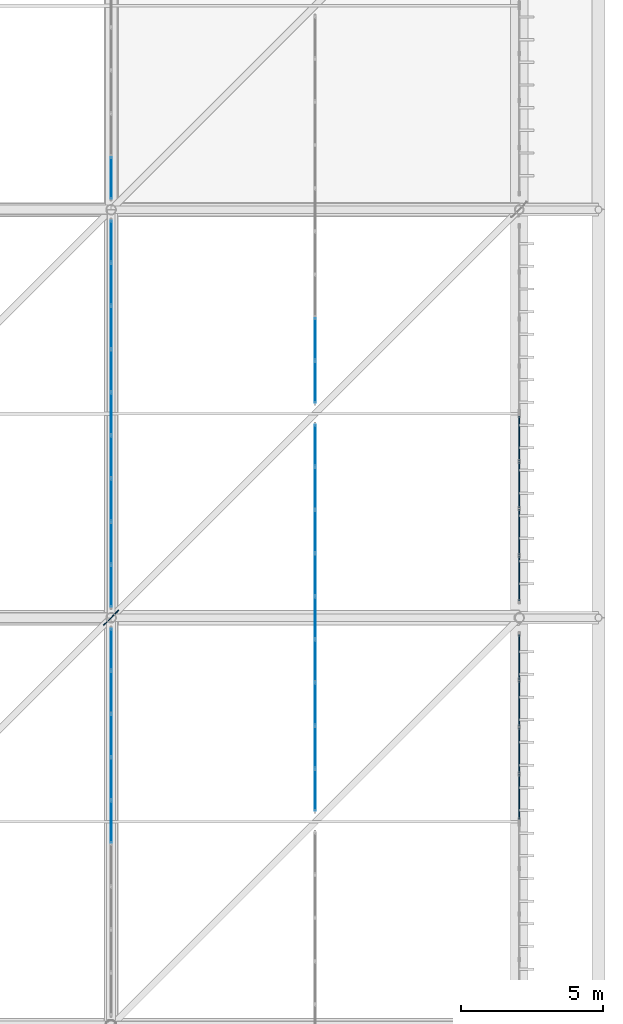
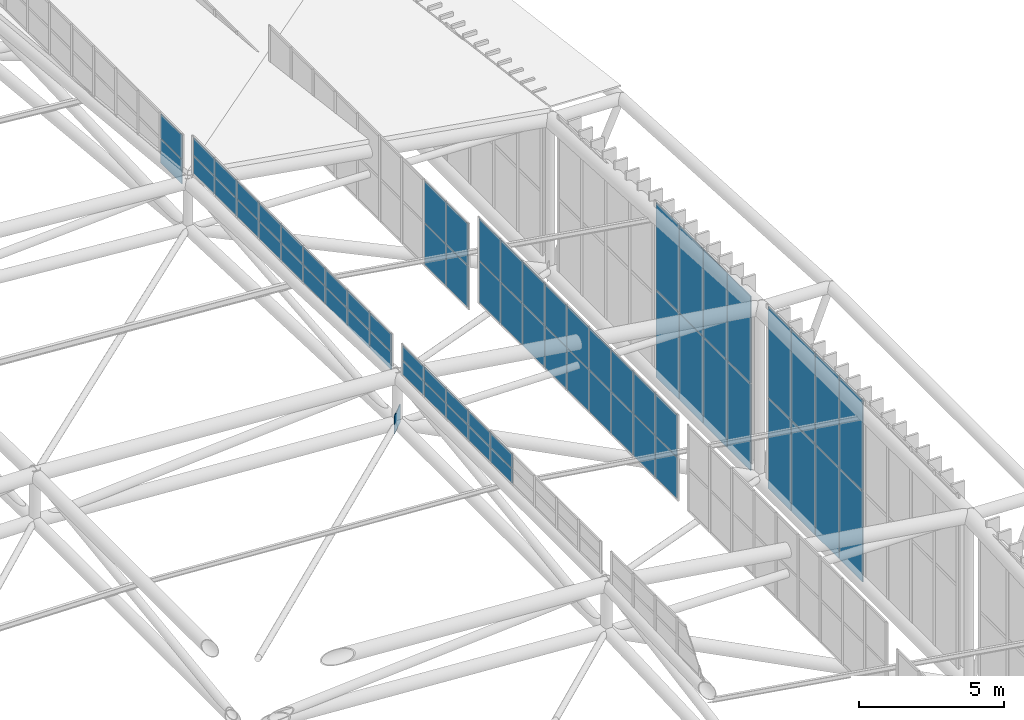
# One storey, part 379 of 397: 69 plates, 7 elements without a shape of their own.
"""IFC4 building model written with IfcOpenShell, lengths in metres."""

from ifc_helpers import new_model, si_unit, direction, frame, origin, origin_2d, place, context, subcontext, project, spatial, rectangle, extrude, material, layer, layer_set, type_object, element, aggregate, save


model = new_model("IFC4")

# Units and contexts
model_context = context("Model", 3, precision=1e-05, world=origin(), true_north=direction((0.0, 1.0)))
body_context = subcontext(model_context, "Body", "Model", "MODEL_VIEW")
ifc_project = project(units=[si_unit("LENGTHUNIT", "METRE"), si_unit("AREAUNIT", "SQUARE_METRE"), si_unit("VOLUMEUNIT", "CUBIC_METRE"), si_unit("PLANEANGLEUNIT", "RADIAN"), si_unit("MASSUNIT", "GRAM", prefix="KILO")], contexts=[model_context])

# Site, building, storey
site_placement = place(None, origin())
site = spatial("IfcSite", under=ifc_project, at=site_placement, CompositionType="ELEMENT")
building_placement = place(site_placement, origin())
building = spatial("IfcBuilding", under=site, at=building_placement, Name="Qandorah Velis Arena", CompositionType="ELEMENT")
storey_placement = place(building_placement, frame((0.0, 0.0, 27.5)))
storey = spatial("IfcBuildingStorey", under=building, at=storey_placement, Name="RF", CompositionType="ELEMENT", Elevation=27.5)

# Curtain wall, plates
ifc_material_1 = material(Name="Solar-control low-E double glazing", Category="glass")
curtain_wall_type_1 = type_object("IfcCurtainWallType", Name="ARC-CW-SYS16", PredefinedType="USERDEFINED", material=ifc_material_1)
curtain_wall_1_placement = place(storey_placement, origin())
curtain_wall_1 = element("IfcCurtainWall", 1, at=curtain_wall_1_placement, inside=storey, type_object=curtain_wall_type_1, Name="Unitised curtain wall MON-2-4", ObjectType="UNITISED CURTAIN WALL", PredefinedType="USERDEFINED")
ifc_layer_1 = layer(ifc_material_1, 0.030029296875)
ifc_layer_set_1 = layer_set([ifc_layer_1], Name="Solar-control low-E double glazing")
plate_type_1 = type_object("IfcPlateType", Name="ARC-CWP-GLZ30", PredefinedType="CURTAIN_PANEL", material=ifc_layer_set_1)
plate_1_placement = place(storey_placement, frame((108.0, 65.9248046875, 5.89013671875), z_axis=(0.0, 0.0, 1.0), x_axis=(0.0, 1.0, 0.0)))
plate_1 = element("IfcPlate", 2, at=plate_1_placement, type_object=plate_type_1, Name="CW16 panel 1.1", PredefinedType="CURTAIN_PANEL", context=body_context, shape_type="SweptSolid", body=[
    extrude(rectangle(XDim=1.459716796875, YDim=0.030029296875, at=origin_2d()), origin(), (0.0, 0.0, 1.0), 1.737548828125),
])
plate_2_placement = place(storey_placement, frame((108.0, 65.9248046875, 7.66259765625), z_axis=(0.0, 0.0, 1.0), x_axis=(0.0, 1.0, 0.0)))
plate_2 = element("IfcPlate", 3, at=plate_2_placement, type_object=plate_type_1, Name="CW16 panel 1.2", PredefinedType="CURTAIN_PANEL", context=body_context, shape_type="SweptSolid", body=[
    extrude(rectangle(XDim=1.459716796875, YDim=0.030029296875, at=origin_2d()), origin(), (0.0, 0.0, 1.0), 1.737548828125),
])
plate_3_placement = place(storey_placement, frame((108.0, 67.433349609375, 5.89013671875), z_axis=(0.0, 0.0, 1.0), x_axis=(0.0, 1.0, 0.0)))
plate_3 = element("IfcPlate", 4, at=plate_3_placement, type_object=plate_type_1, Name="CW16 panel 2.1", PredefinedType="CURTAIN_PANEL", context=body_context, shape_type="SweptSolid", body=[
    extrude(rectangle(XDim=1.4873046875, YDim=0.030029296875, at=origin_2d()), origin(), (0.0, 0.0, 1.0), 1.737548828125),
])
plate_4_placement = place(storey_placement, frame((108.0, 67.433349609375, 7.66259765625), z_axis=(0.0, 0.0, 1.0), x_axis=(0.0, 1.0, 0.0)))
plate_4 = element("IfcPlate", 5, at=plate_4_placement, type_object=plate_type_1, Name="CW16 panel 2.2", PredefinedType="CURTAIN_PANEL", context=body_context, shape_type="SweptSolid", body=[
    extrude(rectangle(XDim=1.4873046875, YDim=0.030029296875, at=origin_2d()), origin(), (0.0, 0.0, 1.0), 1.737548828125),
])
plate_5_placement = place(storey_placement, frame((108.0, 68.95556640625, 5.89013671875), z_axis=(0.0, 0.0, 1.0), x_axis=(0.0, 1.0, 0.0)))
plate_5 = element("IfcPlate", 6, at=plate_5_placement, type_object=plate_type_1, Name="CW16 panel 3.1", PredefinedType="CURTAIN_PANEL", context=body_context, shape_type="SweptSolid", body=[
    extrude(rectangle(XDim=1.4873046875, YDim=0.030029296875, at=origin_2d()), origin(), (0.0, 0.0, 1.0), 1.737548828125),
])
plate_6_placement = place(storey_placement, frame((108.0, 68.95556640625, 7.66259765625), z_axis=(0.0, 0.0, 1.0), x_axis=(0.0, 1.0, 0.0)))
plate_6 = element("IfcPlate", 7, at=plate_6_placement, type_object=plate_type_1, Name="CW16 panel 3.2", PredefinedType="CURTAIN_PANEL", context=body_context, shape_type="SweptSolid", body=[
    extrude(rectangle(XDim=1.4873046875, YDim=0.030029296875, at=origin_2d()), origin(), (0.0, 0.0, 1.0), 1.737548828125),
])
plate_7_placement = place(storey_placement, frame((108.0, 70.477783203125, 5.89013671875), z_axis=(0.0, 0.0, 1.0), x_axis=(0.0, 1.0, 0.0)))
plate_7 = element("IfcPlate", 8, at=plate_7_placement, type_object=plate_type_1, Name="CW16 panel 4.1", PredefinedType="CURTAIN_PANEL", context=body_context, shape_type="SweptSolid", body=[
    extrude(rectangle(XDim=1.4873046875, YDim=0.030029296875, at=origin_2d()), origin(), (0.0, 0.0, 1.0), 1.737548828125),
])
plate_8_placement = place(storey_placement, frame((108.0, 70.477783203125, 7.66259765625), z_axis=(0.0, 0.0, 1.0), x_axis=(0.0, 1.0, 0.0)))
plate_8 = element("IfcPlate", 9, at=plate_8_placement, type_object=plate_type_1, Name="CW16 panel 4.2", PredefinedType="CURTAIN_PANEL", context=body_context, shape_type="SweptSolid", body=[
    extrude(rectangle(XDim=1.4873046875, YDim=0.030029296875, at=origin_2d()), origin(), (0.0, 0.0, 1.0), 1.737548828125),
])
plate_9_placement = place(storey_placement, frame((108.0, 72.0, 5.89013671875), z_axis=(0.0, 0.0, 1.0), x_axis=(0.0, 1.0, 0.0)))
plate_9 = element("IfcPlate", 10, at=plate_9_placement, type_object=plate_type_1, Name="CW16 panel 5.1", PredefinedType="CURTAIN_PANEL", context=body_context, shape_type="SweptSolid", body=[
    extrude(rectangle(XDim=1.4873046875, YDim=0.030029296875, at=origin_2d()), origin(), (0.0, 0.0, 1.0), 1.737548828125),
])
plate_10_placement = place(storey_placement, frame((108.0, 72.0, 7.66259765625), z_axis=(0.0, 0.0, 1.0), x_axis=(0.0, 1.0, 0.0)))
plate_10 = element("IfcPlate", 11, at=plate_10_placement, type_object=plate_type_1, Name="CW16 panel 5.2", PredefinedType="CURTAIN_PANEL", context=body_context, shape_type="SweptSolid", body=[
    extrude(rectangle(XDim=1.4873046875, YDim=0.030029296875, at=origin_2d()), origin(), (0.0, 0.0, 1.0), 1.737548828125),
])
plate_11_placement = place(storey_placement, frame((108.0, 73.522216796875, 5.89013671875), z_axis=(0.0, 0.0, 1.0), x_axis=(0.0, 1.0, 0.0)))
plate_11 = element("IfcPlate", 12, at=plate_11_placement, type_object=plate_type_1, Name="CW16 panel 6.1", PredefinedType="CURTAIN_PANEL", context=body_context, shape_type="SweptSolid", body=[
    extrude(rectangle(XDim=1.4873046875, YDim=0.030029296875, at=origin_2d()), origin(), (0.0, 0.0, 1.0), 1.737548828125),
])
plate_12_placement = place(storey_placement, frame((108.0, 73.522216796875, 7.66259765625), z_axis=(0.0, 0.0, 1.0), x_axis=(0.0, 1.0, 0.0)))
plate_12 = element("IfcPlate", 13, at=plate_12_placement, type_object=plate_type_1, Name="CW16 panel 6.2", PredefinedType="CURTAIN_PANEL", context=body_context, shape_type="SweptSolid", body=[
    extrude(rectangle(XDim=1.4873046875, YDim=0.030029296875, at=origin_2d()), origin(), (0.0, 0.0, 1.0), 1.737548828125),
])
plate_13_placement = place(storey_placement, frame((108.0, 75.04443359375, 5.89013671875), z_axis=(0.0, 0.0, 1.0), x_axis=(0.0, 1.0, 0.0)))
plate_13 = element("IfcPlate", 14, at=plate_13_placement, type_object=plate_type_1, Name="CW16 panel 7.1", PredefinedType="CURTAIN_PANEL", context=body_context, shape_type="SweptSolid", body=[
    extrude(rectangle(XDim=1.4873046875, YDim=0.030029296875, at=origin_2d()), origin(), (0.0, 0.0, 1.0), 1.737548828125),
])
plate_14_placement = place(storey_placement, frame((108.0, 75.04443359375, 7.66259765625), z_axis=(0.0, 0.0, 1.0), x_axis=(0.0, 1.0, 0.0)))
plate_14 = element("IfcPlate", 15, at=plate_14_placement, type_object=plate_type_1, Name="CW16 panel 7.2", PredefinedType="CURTAIN_PANEL", context=body_context, shape_type="SweptSolid", body=[
    extrude(rectangle(XDim=1.4873046875, YDim=0.030029296875, at=origin_2d()), origin(), (0.0, 0.0, 1.0), 1.737548828125),
])
plate_15_placement = place(storey_placement, frame((108.0, 76.566650390625, 5.89013671875), z_axis=(0.0, 0.0, 1.0), x_axis=(0.0, 1.0, 0.0)))
plate_15 = element("IfcPlate", 16, at=plate_15_placement, type_object=plate_type_1, Name="CW16 panel 8.1", PredefinedType="CURTAIN_PANEL", context=body_context, shape_type="SweptSolid", body=[
    extrude(rectangle(XDim=1.4873046875, YDim=0.030029296875, at=origin_2d()), origin(), (0.0, 0.0, 1.0), 1.737548828125),
])
plate_16_placement = place(storey_placement, frame((108.0, 76.566650390625, 7.66259765625), z_axis=(0.0, 0.0, 1.0), x_axis=(0.0, 1.0, 0.0)))
plate_16 = element("IfcPlate", 17, at=plate_16_placement, type_object=plate_type_1, Name="CW16 panel 8.2", PredefinedType="CURTAIN_PANEL", context=body_context, shape_type="SweptSolid", body=[
    extrude(rectangle(XDim=1.4873046875, YDim=0.030029296875, at=origin_2d()), origin(), (0.0, 0.0, 1.0), 1.737548828125),
])
plate_17_placement = place(storey_placement, frame((108.0, 78.0751953125, 5.89013671875), z_axis=(0.0, 0.0, 1.0), x_axis=(0.0, 1.0, 0.0)))
plate_17 = element("IfcPlate", 18, at=plate_17_placement, type_object=plate_type_1, Name="CW16 panel 9.1", PredefinedType="CURTAIN_PANEL", context=body_context, shape_type="SweptSolid", body=[
    extrude(rectangle(XDim=1.459716796875, YDim=0.030029296875, at=origin_2d()), origin(), (0.0, 0.0, 1.0), 1.737548828125),
])
plate_18_placement = place(storey_placement, frame((108.0, 78.0751953125, 7.66259765625), z_axis=(0.0, 0.0, 1.0), x_axis=(0.0, 1.0, 0.0)))
plate_18 = element("IfcPlate", 19, at=plate_18_placement, type_object=plate_type_1, Name="CW16 panel 9.2", PredefinedType="CURTAIN_PANEL", context=body_context, shape_type="SweptSolid", body=[
    extrude(rectangle(XDim=1.459716796875, YDim=0.030029296875, at=origin_2d()), origin(), (0.0, 0.0, 1.0), 1.737548828125),
])
aggregate(curtain_wall_1, [plate_1, plate_2, plate_3, plate_4, plate_5, plate_6, plate_7, plate_8, plate_9, plate_10, plate_11, plate_12, plate_13, plate_14, plate_15, plate_16, plate_17, plate_18])

curtain_wall_type_2 = type_object("IfcCurtainWallType", Name="ARC-CW-SYS17", PredefinedType="USERDEFINED", material=ifc_material_1)
curtain_wall_2_placement = place(storey_placement, origin())
curtain_wall_2 = element("IfcCurtainWall", 20, at=curtain_wall_2_placement, inside=storey, type_object=curtain_wall_type_2, Name="Unitised curtain wall MON-2-5", ObjectType="UNITISED CURTAIN WALL", PredefinedType="USERDEFINED")
plate_19_placement = place(storey_placement, frame((108.0, 80.324951171875, 5.1943359375), z_axis=(0.0, 0.0, 1.0), x_axis=(0.0, 1.0, 0.0)))
plate_19 = element("IfcPlate", 21, at=plate_19_placement, type_object=plate_type_1, Name="CW17 panel 1.1", PredefinedType="CURTAIN_PANEL", context=body_context, shape_type="SweptSolid", body=[
    extrude(rectangle(XDim=1.459716796875, YDim=0.030029296875, at=origin_2d()), origin(), (0.0, 0.0, 1.0), 1.737548828125),
])
plate_20_placement = place(storey_placement, frame((108.0, 80.324951171875, 6.966796875), z_axis=(0.0, 0.0, 1.0), x_axis=(0.0, 1.0, 0.0)))
plate_20 = element("IfcPlate", 22, at=plate_20_placement, type_object=plate_type_1, Name="CW17 panel 1.2", PredefinedType="CURTAIN_PANEL", context=body_context, shape_type="SweptSolid", body=[
    extrude(rectangle(XDim=1.459716796875, YDim=0.030029296875, at=origin_2d()), origin(), (0.0, 0.0, 1.0), 1.737548828125),
])
plate_21_placement = place(storey_placement, frame((108.0, 81.833251953125, 5.1943359375), z_axis=(0.0, 0.0, 1.0), x_axis=(0.0, 1.0, 0.0)))
plate_21 = element("IfcPlate", 23, at=plate_21_placement, type_object=plate_type_1, Name="CW17 panel 2.1", PredefinedType="CURTAIN_PANEL", context=body_context, shape_type="SweptSolid", body=[
    extrude(rectangle(XDim=1.4873046875, YDim=0.030029296875, at=origin_2d()), origin(), (0.0, 0.0, 1.0), 1.737548828125),
])
plate_22_placement = place(storey_placement, frame((108.0, 81.833251953125, 6.966796875), z_axis=(0.0, 0.0, 1.0), x_axis=(0.0, 1.0, 0.0)))
plate_22 = element("IfcPlate", 24, at=plate_22_placement, type_object=plate_type_1, Name="CW17 panel 2.2", PredefinedType="CURTAIN_PANEL", context=body_context, shape_type="SweptSolid", body=[
    extrude(rectangle(XDim=1.4873046875, YDim=0.030029296875, at=origin_2d()), origin(), (0.0, 0.0, 1.0), 1.737548828125),
])
aggregate(curtain_wall_2, [plate_19, plate_20, plate_21, plate_22])

curtain_wall_type_3 = type_object("IfcCurtainWallType", Name="ARC-CW-SYS13", PredefinedType="USERDEFINED", material=ifc_material_1)
curtain_wall_3_placement = place(storey_placement, origin())
curtain_wall_3 = element("IfcCurtainWall", 25, at=curtain_wall_3_placement, inside=storey, type_object=curtain_wall_type_3, Name="Unitised curtain wall OCULUS-2-3", ObjectType="UNITISED CURTAIN WALL", PredefinedType="USERDEFINED")
plate_23_placement = place(storey_placement, frame((100.800048828125, 64.800048828125, 9.744140625), z_axis=(0.0, 0.0, 1.0), x_axis=(0.0, 1.0, 0.0)))
plate_23 = element("IfcPlate", 26, at=plate_23_placement, type_object=plate_type_1, Name="CW13 panel 5.1", PredefinedType="CURTAIN_PANEL", context=body_context, shape_type="SweptSolid", body=[
    extrude(rectangle(XDim=1.4873046875, YDim=0.030029296875, at=origin_2d()), origin(), (0.0, 0.0, 1.0), 0.587890625),
])
plate_24_placement = place(storey_placement, frame((100.800048828125, 64.800048828125, 10.366943359375), z_axis=(0.0, 0.0, 1.0), x_axis=(0.0, 1.0, 0.0)))
plate_24 = element("IfcPlate", 27, at=plate_24_placement, type_object=plate_type_1, Name="CW13 panel 5.2", PredefinedType="CURTAIN_PANEL", context=body_context, shape_type="SweptSolid", body=[
    extrude(rectangle(XDim=1.4873046875, YDim=0.030029296875, at=origin_2d()), origin(), (0.0, 0.0, 1.0), 0.587890625),
])
plate_25_placement = place(storey_placement, frame((100.800048828125, 66.322265625, 9.744140625), z_axis=(0.0, 0.0, 1.0), x_axis=(0.0, 1.0, 0.0)))
plate_25 = element("IfcPlate", 28, at=plate_25_placement, type_object=plate_type_1, Name="CW13 panel 6.1", PredefinedType="CURTAIN_PANEL", context=body_context, shape_type="SweptSolid", body=[
    extrude(rectangle(XDim=1.4873046875, YDim=0.030029296875, at=origin_2d()), origin(), (0.0, 0.0, 1.0), 0.587890625),
])
plate_26_placement = place(storey_placement, frame((100.800048828125, 66.322265625, 10.366943359375), z_axis=(0.0, 0.0, 1.0), x_axis=(0.0, 1.0, 0.0)))
plate_26 = element("IfcPlate", 29, at=plate_26_placement, type_object=plate_type_1, Name="CW13 panel 6.2", PredefinedType="CURTAIN_PANEL", context=body_context, shape_type="SweptSolid", body=[
    extrude(rectangle(XDim=1.4873046875, YDim=0.030029296875, at=origin_2d()), origin(), (0.0, 0.0, 1.0), 0.587890625),
])
plate_27_placement = place(storey_placement, frame((100.800048828125, 67.844482421875, 9.744140625), z_axis=(0.0, 0.0, 1.0), x_axis=(0.0, 1.0, 0.0)))
plate_27 = element("IfcPlate", 30, at=plate_27_placement, type_object=plate_type_1, Name="CW13 panel 7.1", PredefinedType="CURTAIN_PANEL", context=body_context, shape_type="SweptSolid", body=[
    extrude(rectangle(XDim=1.4873046875, YDim=0.030029296875, at=origin_2d()), origin(), (0.0, 0.0, 1.0), 0.587890625),
])
plate_28_placement = place(storey_placement, frame((100.800048828125, 67.844482421875, 10.366943359375), z_axis=(0.0, 0.0, 1.0), x_axis=(0.0, 1.0, 0.0)))
plate_28 = element("IfcPlate", 31, at=plate_28_placement, type_object=plate_type_1, Name="CW13 panel 7.2", PredefinedType="CURTAIN_PANEL", context=body_context, shape_type="SweptSolid", body=[
    extrude(rectangle(XDim=1.4873046875, YDim=0.030029296875, at=origin_2d()), origin(), (0.0, 0.0, 1.0), 0.587890625),
])
plate_29_placement = place(storey_placement, frame((100.800048828125, 69.36669921875, 9.744140625), z_axis=(0.0, 0.0, 1.0), x_axis=(0.0, 1.0, 0.0)))
plate_29 = element("IfcPlate", 32, at=plate_29_placement, type_object=plate_type_1, Name="CW13 panel 8.1", PredefinedType="CURTAIN_PANEL", context=body_context, shape_type="SweptSolid", body=[
    extrude(rectangle(XDim=1.4873046875, YDim=0.030029296875, at=origin_2d()), origin(), (0.0, 0.0, 1.0), 0.587890625),
])
plate_30_placement = place(storey_placement, frame((100.800048828125, 69.36669921875, 10.366943359375), z_axis=(0.0, 0.0, 1.0), x_axis=(0.0, 1.0, 0.0)))
plate_30 = element("IfcPlate", 33, at=plate_30_placement, type_object=plate_type_1, Name="CW13 panel 8.2", PredefinedType="CURTAIN_PANEL", context=body_context, shape_type="SweptSolid", body=[
    extrude(rectangle(XDim=1.4873046875, YDim=0.030029296875, at=origin_2d()), origin(), (0.0, 0.0, 1.0), 0.587890625),
])
plate_31_placement = place(storey_placement, frame((100.800048828125, 70.875244140625, 9.744140625), z_axis=(0.0, 0.0, 1.0), x_axis=(0.0, 1.0, 0.0)))
plate_31 = element("IfcPlate", 34, at=plate_31_placement, type_object=plate_type_1, Name="CW13 panel 9.1", PredefinedType="CURTAIN_PANEL", context=body_context, shape_type="SweptSolid", body=[
    extrude(rectangle(XDim=1.459716796875, YDim=0.030029296875, at=origin_2d()), origin(), (0.0, 0.0, 1.0), 0.587890625),
])
plate_32_placement = place(storey_placement, frame((100.800048828125, 70.875244140625, 10.366943359375), z_axis=(0.0, 0.0, 1.0), x_axis=(0.0, 1.0, 0.0)))
plate_32 = element("IfcPlate", 35, at=plate_32_placement, type_object=plate_type_1, Name="CW13 panel 9.2", PredefinedType="CURTAIN_PANEL", context=body_context, shape_type="SweptSolid", body=[
    extrude(rectangle(XDim=1.459716796875, YDim=0.030029296875, at=origin_2d()), origin(), (0.0, 0.0, 1.0), 0.587890625),
])
aggregate(curtain_wall_3, [plate_23, plate_24, plate_25, plate_26, plate_27, plate_28, plate_29, plate_30, plate_31, plate_32])

curtain_wall_type_4 = type_object("IfcCurtainWallType", Name="ARC-CW-SYS14", PredefinedType="USERDEFINED", material=ifc_material_1)
curtain_wall_4_placement = place(storey_placement, origin())
curtain_wall_4 = element("IfcCurtainWall", 36, at=curtain_wall_4_placement, inside=storey, type_object=curtain_wall_type_4, Name="Unitised curtain wall OCULUS-2-4", ObjectType="UNITISED CURTAIN WALL", PredefinedType="USERDEFINED")
plate_33_placement = place(storey_placement, frame((100.800048828125, 73.124755859375, 9.47265625), z_axis=(0.0, 0.0, 1.0), x_axis=(0.0, 1.0, 0.0)))
plate_33 = element("IfcPlate", 37, at=plate_33_placement, type_object=plate_type_1, Name="CW14 panel 1.1", PredefinedType="CURTAIN_PANEL", context=body_context, shape_type="SweptSolid", body=[
    extrude(rectangle(XDim=1.459716796875, YDim=0.030029296875, at=origin_2d()), origin(), (0.0, 0.0, 1.0), 0.723876953125),
])
plate_34_placement = place(storey_placement, frame((100.800048828125, 73.124755859375, 10.2314453125), z_axis=(0.0, 0.0, 1.0), x_axis=(0.0, 1.0, 0.0)))
plate_34 = element("IfcPlate", 38, at=plate_34_placement, type_object=plate_type_1, Name="CW14 panel 1.2", PredefinedType="CURTAIN_PANEL", context=body_context, shape_type="SweptSolid", body=[
    extrude(rectangle(XDim=1.459716796875, YDim=0.030029296875, at=origin_2d()), origin(), (0.0, 0.0, 1.0), 0.7236328125),
])
plate_35_placement = place(storey_placement, frame((100.800048828125, 74.63330078125, 9.47265625), z_axis=(0.0, 0.0, 1.0), x_axis=(0.0, 1.0, 0.0)))
plate_35 = element("IfcPlate", 39, at=plate_35_placement, type_object=plate_type_1, Name="CW14 panel 2.1", PredefinedType="CURTAIN_PANEL", context=body_context, shape_type="SweptSolid", body=[
    extrude(rectangle(XDim=1.4873046875, YDim=0.030029296875, at=origin_2d()), origin(), (0.0, 0.0, 1.0), 0.723876953125),
])
plate_36_placement = place(storey_placement, frame((100.800048828125, 74.63330078125, 10.2314453125), z_axis=(0.0, 0.0, 1.0), x_axis=(0.0, 1.0, 0.0)))
plate_36 = element("IfcPlate", 40, at=plate_36_placement, type_object=plate_type_1, Name="CW14 panel 2.2", PredefinedType="CURTAIN_PANEL", context=body_context, shape_type="SweptSolid", body=[
    extrude(rectangle(XDim=1.4873046875, YDim=0.030029296875, at=origin_2d()), origin(), (0.0, 0.0, 1.0), 0.7236328125),
])
plate_37_placement = place(storey_placement, frame((100.800048828125, 76.155517578125, 9.47265625), z_axis=(0.0, 0.0, 1.0), x_axis=(0.0, 1.0, 0.0)))
plate_37 = element("IfcPlate", 41, at=plate_37_placement, type_object=plate_type_1, Name="CW14 panel 3.1", PredefinedType="CURTAIN_PANEL", context=body_context, shape_type="SweptSolid", body=[
    extrude(rectangle(XDim=1.4873046875, YDim=0.030029296875, at=origin_2d()), origin(), (0.0, 0.0, 1.0), 0.723876953125),
])
plate_38_placement = place(storey_placement, frame((100.800048828125, 76.155517578125, 10.2314453125), z_axis=(0.0, 0.0, 1.0), x_axis=(0.0, 1.0, 0.0)))
plate_38 = element("IfcPlate", 42, at=plate_38_placement, type_object=plate_type_1, Name="CW14 panel 3.2", PredefinedType="CURTAIN_PANEL", context=body_context, shape_type="SweptSolid", body=[
    extrude(rectangle(XDim=1.4873046875, YDim=0.030029296875, at=origin_2d()), origin(), (0.0, 0.0, 1.0), 0.7236328125),
])
plate_39_placement = place(storey_placement, frame((100.800048828125, 77.677734375, 9.47265625), z_axis=(0.0, 0.0, 1.0), x_axis=(0.0, 1.0, 0.0)))
plate_39 = element("IfcPlate", 43, at=plate_39_placement, type_object=plate_type_1, Name="CW14 panel 4.1", PredefinedType="CURTAIN_PANEL", context=body_context, shape_type="SweptSolid", body=[
    extrude(rectangle(XDim=1.4873046875, YDim=0.030029296875, at=origin_2d()), origin(), (0.0, 0.0, 1.0), 0.723876953125),
])
plate_40_placement = place(storey_placement, frame((100.800048828125, 77.677734375, 10.2314453125), z_axis=(0.0, 0.0, 1.0), x_axis=(0.0, 1.0, 0.0)))
plate_40 = element("IfcPlate", 44, at=plate_40_placement, type_object=plate_type_1, Name="CW14 panel 4.2", PredefinedType="CURTAIN_PANEL", context=body_context, shape_type="SweptSolid", body=[
    extrude(rectangle(XDim=1.4873046875, YDim=0.030029296875, at=origin_2d()), origin(), (0.0, 0.0, 1.0), 0.7236328125),
])
plate_41_placement = place(storey_placement, frame((100.800048828125, 79.199951171875, 9.47265625), z_axis=(0.0, 0.0, 1.0), x_axis=(0.0, 1.0, 0.0)))
plate_41 = element("IfcPlate", 45, at=plate_41_placement, type_object=plate_type_1, Name="CW14 panel 5.1", PredefinedType="CURTAIN_PANEL", context=body_context, shape_type="SweptSolid", body=[
    extrude(rectangle(XDim=1.4873046875, YDim=0.030029296875, at=origin_2d()), origin(), (0.0, 0.0, 1.0), 0.723876953125),
])
plate_42_placement = place(storey_placement, frame((100.800048828125, 79.199951171875, 10.2314453125), z_axis=(0.0, 0.0, 1.0), x_axis=(0.0, 1.0, 0.0)))
plate_42 = element("IfcPlate", 46, at=plate_42_placement, type_object=plate_type_1, Name="CW14 panel 5.2", PredefinedType="CURTAIN_PANEL", context=body_context, shape_type="SweptSolid", body=[
    extrude(rectangle(XDim=1.4873046875, YDim=0.030029296875, at=origin_2d()), origin(), (0.0, 0.0, 1.0), 0.7236328125),
])
plate_43_placement = place(storey_placement, frame((100.800048828125, 80.72216796875, 9.47265625), z_axis=(0.0, 0.0, 1.0), x_axis=(0.0, 1.0, 0.0)))
plate_43 = element("IfcPlate", 47, at=plate_43_placement, type_object=plate_type_1, Name="CW14 panel 6.1", PredefinedType="CURTAIN_PANEL", context=body_context, shape_type="SweptSolid", body=[
    extrude(rectangle(XDim=1.4873046875, YDim=0.030029296875, at=origin_2d()), origin(), (0.0, 0.0, 1.0), 0.723876953125),
])
plate_44_placement = place(storey_placement, frame((100.800048828125, 80.72216796875, 10.2314453125), z_axis=(0.0, 0.0, 1.0), x_axis=(0.0, 1.0, 0.0)))
plate_44 = element("IfcPlate", 48, at=plate_44_placement, type_object=plate_type_1, Name="CW14 panel 6.2", PredefinedType="CURTAIN_PANEL", context=body_context, shape_type="SweptSolid", body=[
    extrude(rectangle(XDim=1.4873046875, YDim=0.030029296875, at=origin_2d()), origin(), (0.0, 0.0, 1.0), 0.7236328125),
])
plate_45_placement = place(storey_placement, frame((100.800048828125, 82.244384765625, 9.47265625), z_axis=(0.0, 0.0, 1.0), x_axis=(0.0, 1.0, 0.0)))
plate_45 = element("IfcPlate", 49, at=plate_45_placement, type_object=plate_type_1, Name="CW14 panel 7.1", PredefinedType="CURTAIN_PANEL", context=body_context, shape_type="SweptSolid", body=[
    extrude(rectangle(XDim=1.4873046875, YDim=0.030029296875, at=origin_2d()), origin(), (0.0, 0.0, 1.0), 0.723876953125),
])
plate_46_placement = place(storey_placement, frame((100.800048828125, 82.244384765625, 10.2314453125), z_axis=(0.0, 0.0, 1.0), x_axis=(0.0, 1.0, 0.0)))
plate_46 = element("IfcPlate", 50, at=plate_46_placement, type_object=plate_type_1, Name="CW14 panel 7.2", PredefinedType="CURTAIN_PANEL", context=body_context, shape_type="SweptSolid", body=[
    extrude(rectangle(XDim=1.4873046875, YDim=0.030029296875, at=origin_2d()), origin(), (0.0, 0.0, 1.0), 0.7236328125),
])
plate_47_placement = place(storey_placement, frame((100.800048828125, 83.7666015625, 9.47265625), z_axis=(0.0, 0.0, 1.0), x_axis=(0.0, 1.0, 0.0)))
plate_47 = element("IfcPlate", 51, at=plate_47_placement, type_object=plate_type_1, Name="CW14 panel 8.1", PredefinedType="CURTAIN_PANEL", context=body_context, shape_type="SweptSolid", body=[
    extrude(rectangle(XDim=1.4873046875, YDim=0.030029296875, at=origin_2d()), origin(), (0.0, 0.0, 1.0), 0.723876953125),
])
plate_48_placement = place(storey_placement, frame((100.800048828125, 83.7666015625, 10.2314453125), z_axis=(0.0, 0.0, 1.0), x_axis=(0.0, 1.0, 0.0)))
plate_48 = element("IfcPlate", 52, at=plate_48_placement, type_object=plate_type_1, Name="CW14 panel 8.2", PredefinedType="CURTAIN_PANEL", context=body_context, shape_type="SweptSolid", body=[
    extrude(rectangle(XDim=1.4873046875, YDim=0.030029296875, at=origin_2d()), origin(), (0.0, 0.0, 1.0), 0.7236328125),
])
plate_49_placement = place(storey_placement, frame((100.800048828125, 85.275146484375, 9.47265625), z_axis=(0.0, 0.0, 1.0), x_axis=(0.0, 1.0, 0.0)))
plate_49 = element("IfcPlate", 53, at=plate_49_placement, type_object=plate_type_1, Name="CW14 panel 9.1", PredefinedType="CURTAIN_PANEL", context=body_context, shape_type="SweptSolid", body=[
    extrude(rectangle(XDim=1.459716796875, YDim=0.030029296875, at=origin_2d()), origin(), (0.0, 0.0, 1.0), 0.723876953125),
])
plate_50_placement = place(storey_placement, frame((100.800048828125, 85.275146484375, 10.2314453125), z_axis=(0.0, 0.0, 1.0), x_axis=(0.0, 1.0, 0.0)))
plate_50 = element("IfcPlate", 54, at=plate_50_placement, type_object=plate_type_1, Name="CW14 panel 9.2", PredefinedType="CURTAIN_PANEL", context=body_context, shape_type="SweptSolid", body=[
    extrude(rectangle(XDim=1.459716796875, YDim=0.030029296875, at=origin_2d()), origin(), (0.0, 0.0, 1.0), 0.7236328125),
])
aggregate(curtain_wall_4, [plate_33, plate_34, plate_35, plate_36, plate_37, plate_38, plate_39, plate_40, plate_41, plate_42, plate_43, plate_44, plate_45, plate_46, plate_47, plate_48, plate_49, plate_50])

curtain_wall_type_5 = type_object("IfcCurtainWallType", Name="ARC-CW-SYS15", PredefinedType="USERDEFINED", material=ifc_material_1)
curtain_wall_5_placement = place(storey_placement, origin())
curtain_wall_5 = element("IfcCurtainWall", 55, at=curtain_wall_5_placement, inside=storey, type_object=curtain_wall_type_5, Name="Unitised curtain wall OCULUS-2-5", ObjectType="UNITISED CURTAIN WALL", PredefinedType="USERDEFINED")
plate_51_placement = place(storey_placement, frame((100.800048828125, 87.52490234375, 8.53125), z_axis=(0.0, 0.0, 1.0), x_axis=(0.0, 1.0, 0.0)))
plate_51 = element("IfcPlate", 56, at=plate_51_placement, type_object=plate_type_1, Name="CW15 panel 1.1", PredefinedType="CURTAIN_PANEL", context=body_context, shape_type="SweptSolid", body=[
    extrude(rectangle(XDim=1.459716796875, YDim=0.030029296875, at=origin_2d()), origin(), (0.0, 0.0, 1.0), 1.012451171875),
])
plate_52_placement = place(storey_placement, frame((100.800048828125, 87.52490234375, 9.57861328125), z_axis=(0.0, 0.0, 1.0), x_axis=(0.0, 1.0, 0.0)))
plate_52 = element("IfcPlate", 57, at=plate_52_placement, type_object=plate_type_1, Name="CW15 panel 1.2", PredefinedType="CURTAIN_PANEL", context=body_context, shape_type="SweptSolid", body=[
    extrude(rectangle(XDim=1.459716796875, YDim=0.030029296875, at=origin_2d()), origin(), (0.0, 0.0, 1.0), 1.012451171875),
])
aggregate(curtain_wall_5, [plate_51, plate_52])

curtain_wall_6_placement = place(storey_placement, origin())
curtain_wall_6 = element("IfcCurtainWall", 58, at=curtain_wall_6_placement, inside=storey, type_object=curtain_wall_type_4, Name="Unitised curtain wall CROWN-2-05S2", ObjectType="UNITISED CURTAIN WALL", PredefinedType="USERDEFINED")
ifc_layer_2 = layer(ifc_material_1, 0.035888671875)
ifc_layer_set_2 = layer_set([ifc_layer_2], Name="Solar-control low-E double glazing")
plate_type_2 = type_object("IfcPlateType", Name="ARC-CWP-GLZ36", PredefinedType="CURTAIN_PANEL", material=ifc_layer_set_2)
plate_53_placement = place(storey_placement, frame((115.199951171875, 65.68115234375, 0.0498046875), z_axis=(0.0, 0.0, 1.0), x_axis=(0.0, 1.0, 0.0)))
plate_53 = element("IfcPlate", 59, at=plate_53_placement, type_object=plate_type_2, Name="CW14 panel 1.1", PredefinedType="CURTAIN_PANEL", context=body_context, shape_type="SweptSolid", body=[
    extrude(rectangle(XDim=1.58251953125, YDim=0.035888671875, at=origin_2d()), origin(), (0.0, 0.0, 1.0), 3.797607421875),
])
plate_54_placement = place(storey_placement, frame((115.199951171875, 65.68115234375, 3.8876953125), z_axis=(0.0, 0.0, 1.0), x_axis=(0.0, 1.0, 0.0)))
plate_54 = element("IfcPlate", 60, at=plate_54_placement, type_object=plate_type_2, Name="CW14 panel 1.2", PredefinedType="CURTAIN_PANEL", context=body_context, shape_type="SweptSolid", body=[
    extrude(rectangle(XDim=1.58251953125, YDim=0.035888671875, at=origin_2d()), origin(), (0.0, 0.0, 1.0), 3.797607421875),
])
plate_55_placement = place(storey_placement, frame((115.199951171875, 67.31884765625, 0.0498046875), z_axis=(0.0, 0.0, 1.0), x_axis=(0.0, 1.0, 0.0)))
plate_55 = element("IfcPlate", 61, at=plate_55_placement, type_object=plate_type_2, Name="CW14 panel 2.1", PredefinedType="CURTAIN_PANEL", context=body_context, shape_type="SweptSolid", body=[
    extrude(rectangle(XDim=1.612548828125, YDim=0.035888671875, at=origin_2d()), origin(), (0.0, 0.0, 1.0), 3.797607421875),
])
plate_56_placement = place(storey_placement, frame((115.199951171875, 67.31884765625, 3.8876953125), z_axis=(0.0, 0.0, 1.0), x_axis=(0.0, 1.0, 0.0)))
plate_56 = element("IfcPlate", 62, at=plate_56_placement, type_object=plate_type_2, Name="CW14 panel 2.2", PredefinedType="CURTAIN_PANEL", context=body_context, shape_type="SweptSolid", body=[
    extrude(rectangle(XDim=1.612548828125, YDim=0.035888671875, at=origin_2d()), origin(), (0.0, 0.0, 1.0), 3.797607421875),
])
plate_57_placement = place(storey_placement, frame((115.199951171875, 68.97119140625, 0.0498046875), z_axis=(0.0, 0.0, 1.0), x_axis=(0.0, 1.0, 0.0)))
plate_57 = element("IfcPlate", 63, at=plate_57_placement, type_object=plate_type_2, Name="CW14 panel 3.1", PredefinedType="CURTAIN_PANEL", context=body_context, shape_type="SweptSolid", body=[
    extrude(rectangle(XDim=1.612548828125, YDim=0.035888671875, at=origin_2d()), origin(), (0.0, 0.0, 1.0), 3.797607421875),
])
plate_58_placement = place(storey_placement, frame((115.199951171875, 68.97119140625, 3.8876953125), z_axis=(0.0, 0.0, 1.0), x_axis=(0.0, 1.0, 0.0)))
plate_58 = element("IfcPlate", 64, at=plate_58_placement, type_object=plate_type_2, Name="CW14 panel 3.2", PredefinedType="CURTAIN_PANEL", context=body_context, shape_type="SweptSolid", body=[
    extrude(rectangle(XDim=1.612548828125, YDim=0.035888671875, at=origin_2d()), origin(), (0.0, 0.0, 1.0), 3.797607421875),
])
plate_59_placement = place(storey_placement, frame((115.199951171875, 70.608642578125, 0.0498046875), z_axis=(0.0, 0.0, 1.0), x_axis=(0.0, 1.0, 0.0)))
plate_59 = element("IfcPlate", 65, at=plate_59_placement, type_object=plate_type_2, Name="CW14 panel 4.1", PredefinedType="CURTAIN_PANEL", context=body_context, shape_type="SweptSolid", body=[
    extrude(rectangle(XDim=1.58251953125, YDim=0.035888671875, at=origin_2d()), origin(), (0.0, 0.0, 1.0), 3.797607421875),
])
plate_60_placement = place(storey_placement, frame((115.199951171875, 70.608642578125, 3.8876953125), z_axis=(0.0, 0.0, 1.0), x_axis=(0.0, 1.0, 0.0)))
plate_60 = element("IfcPlate", 66, at=plate_60_placement, type_object=plate_type_2, Name="CW14 panel 4.2", PredefinedType="CURTAIN_PANEL", context=body_context, shape_type="SweptSolid", body=[
    extrude(rectangle(XDim=1.58251953125, YDim=0.035888671875, at=origin_2d()), origin(), (0.0, 0.0, 1.0), 3.797607421875),
])
aggregate(curtain_wall_6, [plate_53, plate_54, plate_55, plate_56, plate_57, plate_58, plate_59, plate_60])

curtain_wall_7_placement = place(storey_placement, origin())
curtain_wall_7 = element("IfcCurtainWall", 67, at=curtain_wall_7_placement, inside=storey, type_object=curtain_wall_type_4, Name="Unitised curtain wall CROWN-2-06S1", ObjectType="UNITISED CURTAIN WALL", PredefinedType="USERDEFINED")
plate_61_placement = place(storey_placement, frame((115.199951171875, 73.391357421875, 0.050048828125), z_axis=(0.0, 0.0, 1.0), x_axis=(0.0, 1.0, 0.0)))
plate_61 = element("IfcPlate", 68, at=plate_61_placement, type_object=plate_type_2, Name="CW14 panel 1.1", PredefinedType="CURTAIN_PANEL", context=body_context, shape_type="SweptSolid", body=[
    extrude(rectangle(XDim=1.58251953125, YDim=0.035888671875, at=origin_2d()), origin(), (0.0, 0.0, 1.0), 3.64111328125),
])
plate_62_placement = place(storey_placement, frame((115.199951171875, 73.391357421875, 3.73095703125), z_axis=(0.0, 0.0, 1.0), x_axis=(0.0, 1.0, 0.0)))
plate_62 = element("IfcPlate", 69, at=plate_62_placement, type_object=plate_type_2, Name="CW14 panel 1.2", PredefinedType="CURTAIN_PANEL", context=body_context, shape_type="SweptSolid", body=[
    extrude(rectangle(XDim=1.58251953125, YDim=0.035888671875, at=origin_2d()), origin(), (0.0, 0.0, 1.0), 3.641357421875),
])
plate_63_placement = place(storey_placement, frame((115.199951171875, 75.02880859375, 0.050048828125), z_axis=(0.0, 0.0, 1.0), x_axis=(0.0, 1.0, 0.0)))
plate_63 = element("IfcPlate", 70, at=plate_63_placement, type_object=plate_type_2, Name="CW14 panel 2.1", PredefinedType="CURTAIN_PANEL", context=body_context, shape_type="SweptSolid", body=[
    extrude(rectangle(XDim=1.612548828125, YDim=0.035888671875, at=origin_2d()), origin(), (0.0, 0.0, 1.0), 3.64111328125),
])
plate_64_placement = place(storey_placement, frame((115.199951171875, 75.02880859375, 3.73095703125), z_axis=(0.0, 0.0, 1.0), x_axis=(0.0, 1.0, 0.0)))
plate_64 = element("IfcPlate", 71, at=plate_64_placement, type_object=plate_type_2, Name="CW14 panel 2.2", PredefinedType="CURTAIN_PANEL", context=body_context, shape_type="SweptSolid", body=[
    extrude(rectangle(XDim=1.612548828125, YDim=0.035888671875, at=origin_2d()), origin(), (0.0, 0.0, 1.0), 3.641357421875),
])
plate_65_placement = place(storey_placement, frame((115.199951171875, 76.68115234375, 0.050048828125), z_axis=(0.0, 0.0, 1.0), x_axis=(0.0, 1.0, 0.0)))
plate_65 = element("IfcPlate", 72, at=plate_65_placement, type_object=plate_type_2, Name="CW14 panel 3.1", PredefinedType="CURTAIN_PANEL", context=body_context, shape_type="SweptSolid", body=[
    extrude(rectangle(XDim=1.612548828125, YDim=0.035888671875, at=origin_2d()), origin(), (0.0, 0.0, 1.0), 3.64111328125),
])
plate_66_placement = place(storey_placement, frame((115.199951171875, 76.68115234375, 3.73095703125), z_axis=(0.0, 0.0, 1.0), x_axis=(0.0, 1.0, 0.0)))
plate_66 = element("IfcPlate", 73, at=plate_66_placement, type_object=plate_type_2, Name="CW14 panel 3.2", PredefinedType="CURTAIN_PANEL", context=body_context, shape_type="SweptSolid", body=[
    extrude(rectangle(XDim=1.612548828125, YDim=0.035888671875, at=origin_2d()), origin(), (0.0, 0.0, 1.0), 3.641357421875),
])
plate_67_placement = place(storey_placement, frame((115.199951171875, 78.31884765625, 0.050048828125), z_axis=(0.0, 0.0, 1.0), x_axis=(0.0, 1.0, 0.0)))
plate_67 = element("IfcPlate", 74, at=plate_67_placement, type_object=plate_type_2, Name="CW14 panel 4.1", PredefinedType="CURTAIN_PANEL", context=body_context, shape_type="SweptSolid", body=[
    extrude(rectangle(XDim=1.58251953125, YDim=0.035888671875, at=origin_2d()), origin(), (0.0, 0.0, 1.0), 3.64111328125),
])
plate_68_placement = place(storey_placement, frame((115.199951171875, 78.31884765625, 3.73095703125), z_axis=(0.0, 0.0, 1.0), x_axis=(0.0, 1.0, 0.0)))
plate_68 = element("IfcPlate", 75, at=plate_68_placement, type_object=plate_type_2, Name="CW14 panel 4.2", PredefinedType="CURTAIN_PANEL", context=body_context, shape_type="SweptSolid", body=[
    extrude(rectangle(XDim=1.58251953125, YDim=0.035888671875, at=origin_2d()), origin(), (0.0, 0.0, 1.0), 3.641357421875),
])
aggregate(curtain_wall_7, [plate_61, plate_62, plate_63, plate_64, plate_65, plate_66, plate_67, plate_68])

# Plate
ifc_material_2 = material(Name="Steel S355", Category="steel")
ifc_layer_3 = layer(ifc_material_2, 0.031982421875)
ifc_layer_set_3 = layer_set([ifc_layer_3], Name="Steel S355")
plate_type_3 = type_object("IfcPlateType", Name="STR-PLT-GUS32", PredefinedType="SHEET", material=ifc_layer_set_3)
plate_69_placement = place(storey_placement, frame((100.800048828125, 72.0, 7.25830078125), z_axis=(0.0, 0.0, 1.0), x_axis=(0.707106781187, 0.707106781187, 0.0)))
element("IfcPlate", 76, at=plate_69_placement, inside=storey, type_object=plate_type_3, Name="Space frame gusset plate 6.4", PredefinedType="SHEET", context=body_context, shape_type="SweptSolid", body=[
    extrude(rectangle(XDim=0.75, YDim=0.031982421875, at=origin_2d()), origin(), (0.0, 0.0, 1.0), 0.75),
])

save(model, "model.ifc")
